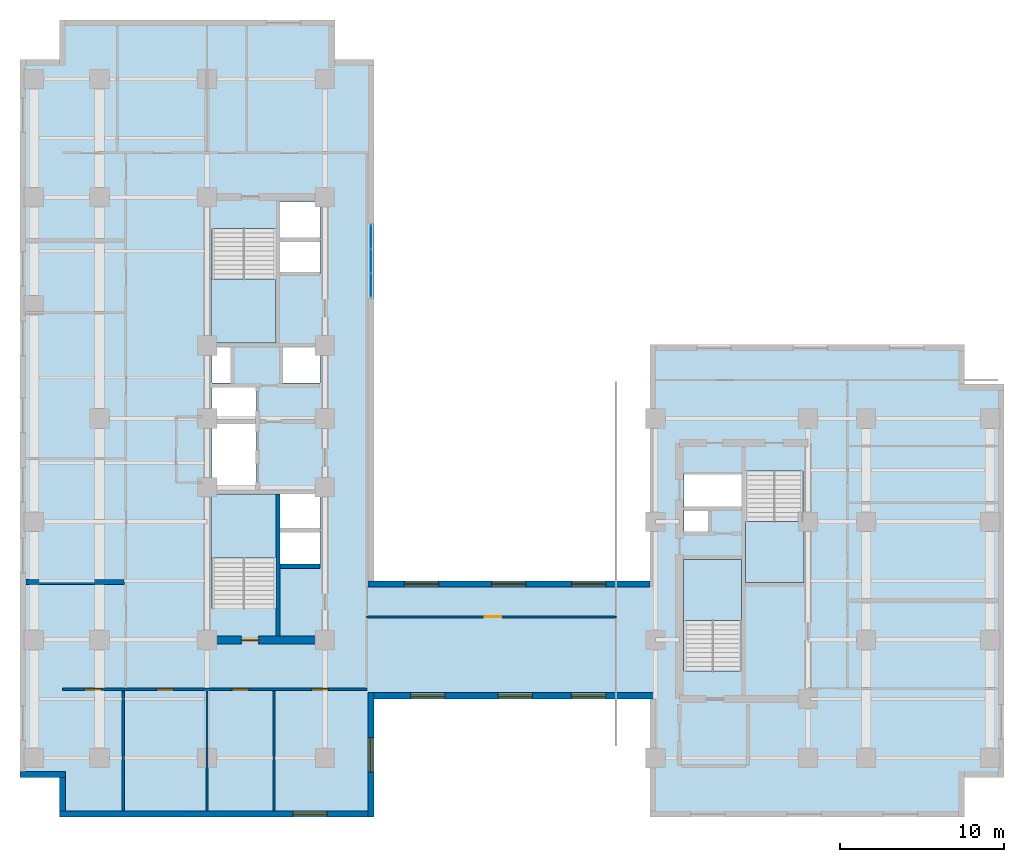
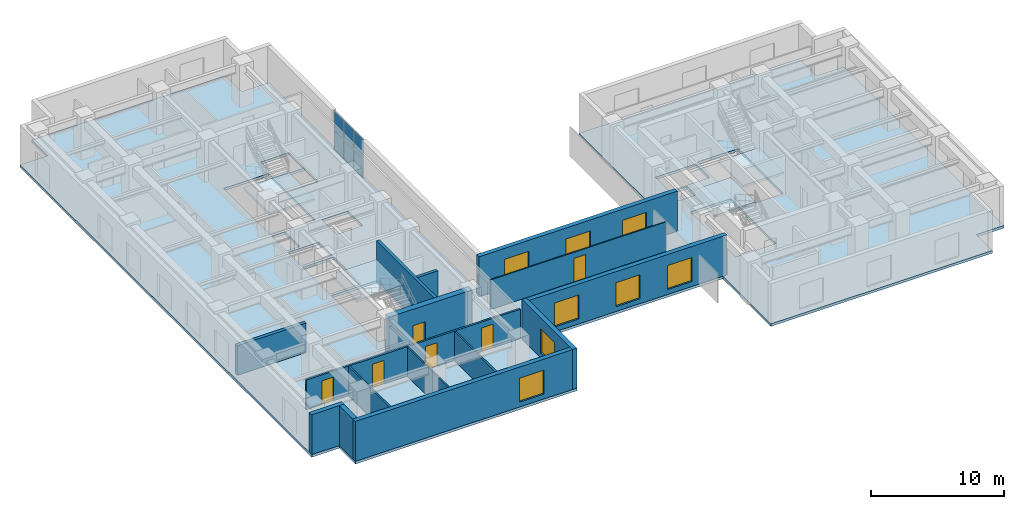
# One storey, part 5 of 11: 15 walls, 8 windows, 6 doors, 6 plates, 5 slabs, 14 openings, 5 elements without a shape of their own.
"""IFC4 building model written with IfcOpenShell, lengths in metres."""

from ifc_helpers import new_model, entity, si_unit, converted_unit, direction, frame, origin_with_axes, origin_2d_with_axis, place, context, subcontext, project, spatial, polyline, rectangle, outline, extrude, material, layer, layer_set, type_object, element, fill, aggregate, save


model = new_model("IFC4")

# Units and contexts
model_context = context("Model", 3, precision=1e-05, world=origin_with_axes(), true_north=direction((0.0, 1.0)))
body_context = subcontext(model_context, "Body", "Model", "MODEL_VIEW")
ifc_project = project(units=[si_unit("LENGTHUNIT", "METRE"), si_unit("AREAUNIT", "SQUARE_METRE"), si_unit("VOLUMEUNIT", "CUBIC_METRE"), converted_unit("PLANEANGLEUNIT", "DEGREE", entity("IfcPlaneAngleMeasure", 0.017453292519943295), si_unit("PLANEANGLEUNIT", "RADIAN"), dimensions=[0, 0, 0, 0, 0, 0, 0]), si_unit("MASSUNIT", "GRAM", prefix="KILO"), si_unit("THERMODYNAMICTEMPERATUREUNIT", "KELVIN")], contexts=[model_context])

# Site, building, storey
site_placement = place(None, origin_with_axes())
site = spatial("IfcSite", under=ifc_project, at=site_placement, CompositionType="ELEMENT")
building_placement = place(site_placement, origin_with_axes())
building = spatial("IfcBuilding", under=site, at=building_placement, Name="Varnlund Millrace Tower", CompositionType="ELEMENT")
storey_placement = place(building_placement, frame((0.0, 0.0, 104.7), z_axis=(0.0, 0.0, 1.0), x_axis=(1.0, 0.0, 0.0)))
storey = spatial("IfcBuildingStorey", under=building, at=storey_placement, Name="L25", CompositionType="ELEMENT", Elevation=104.7)

# Curtain wall, plates
ifc_material_1 = material(Name="Thermally broken architectural bronze curtain wall", Category="aluminium")
curtain_wall_type = type_object("IfcCurtainWallType", Name="Type-CW-Sys5-SkyLobby2Pool", PredefinedType="NOTDEFINED", material=ifc_material_1)
curtain_wall_placement = place(storey_placement, frame((21.41, 36.15, 0.0), z_axis=(0.0, 0.0, 1.0), x_axis=(1.0, 0.0, 0.0)))
curtain_wall = element("IfcCurtainWall", 1, at=curtain_wall_placement, inside=storey, type_object=curtain_wall_type, Name="Type-CW-Sys5-SkyLobby2Pool", PredefinedType="NOTDEFINED")
ifc_material_2 = material(Name="Low-e argon triple-glazed curtain-wall unit", Category="glass")
ifc_layer_1 = layer(ifc_material_2, 0.028, Name="Low-e argon triple-glazed curtain-wall unit")
ifc_layer_set_1 = layer_set([ifc_layer_1], Name="Low-e argon triple-glazed curtain-wall unit")
plate_type = type_object("IfcPlateType", Name="Type-CW-Panel-TripleGlazed-28", PredefinedType="CURTAIN_PANEL", material=ifc_layer_set_1)
plate_1_placement = place(storey_placement, frame((21.41, 35.385, 0.06), z_axis=(0.0, 0.0, 1.0), x_axis=(0.0, -1.0, 0.0)))
plate_1 = element("IfcPlate", 2, at=plate_1_placement, type_object=plate_type, Name="CW-05 panel 1.1", PredefinedType="CURTAIN_PANEL", context=body_context, shape_type="SweptSolid", body=[
    extrude(rectangle(XDim=1.41, YDim=0.028, at=origin_2d_with_axis()), origin_with_axes(), (0.0, 0.0, 1.0), 1.74),
])
plate_2_placement = place(storey_placement, frame((21.41, 35.385, 1.86), z_axis=(0.0, 0.0, 1.0), x_axis=(0.0, -1.0, 0.0)))
plate_2 = element("IfcPlate", 3, at=plate_2_placement, type_object=plate_type, Name="CW-05 panel 1.2", PredefinedType="CURTAIN_PANEL", context=body_context, shape_type="SweptSolid", body=[
    extrude(rectangle(XDim=1.41, YDim=0.028, at=origin_2d_with_axis()), origin_with_axes(), (0.0, 0.0, 1.0), 1.74),
])
plate_3_placement = place(storey_placement, frame((21.41, 33.9, 0.06), z_axis=(0.0, 0.0, 1.0), x_axis=(0.0, -1.0, 0.0)))
plate_3 = element("IfcPlate", 4, at=plate_3_placement, type_object=plate_type, Name="CW-05 panel 2.1", PredefinedType="CURTAIN_PANEL", context=body_context, shape_type="SweptSolid", body=[
    extrude(rectangle(XDim=1.44, YDim=0.028, at=origin_2d_with_axis()), origin_with_axes(), (0.0, 0.0, 1.0), 1.74),
])
plate_4_placement = place(storey_placement, frame((21.41, 33.9, 1.86), z_axis=(0.0, 0.0, 1.0), x_axis=(0.0, -1.0, 0.0)))
plate_4 = element("IfcPlate", 5, at=plate_4_placement, type_object=plate_type, Name="CW-05 panel 2.2", PredefinedType="CURTAIN_PANEL", context=body_context, shape_type="SweptSolid", body=[
    extrude(rectangle(XDim=1.44, YDim=0.028, at=origin_2d_with_axis()), origin_with_axes(), (0.0, 0.0, 1.0), 1.74),
])
plate_5_placement = place(storey_placement, frame((21.41, 32.415, 0.06), z_axis=(0.0, 0.0, 1.0), x_axis=(0.0, -1.0, 0.0)))
plate_5 = element("IfcPlate", 6, at=plate_5_placement, type_object=plate_type, Name="CW-05 panel 3.1", PredefinedType="CURTAIN_PANEL", context=body_context, shape_type="SweptSolid", body=[
    extrude(rectangle(XDim=1.41, YDim=0.028, at=origin_2d_with_axis()), origin_with_axes(), (0.0, 0.0, 1.0), 1.74),
])
plate_6_placement = place(storey_placement, frame((21.41, 32.415, 1.86), z_axis=(0.0, 0.0, 1.0), x_axis=(0.0, -1.0, 0.0)))
plate_6 = element("IfcPlate", 7, at=plate_6_placement, type_object=plate_type, Name="CW-05 panel 3.2", PredefinedType="CURTAIN_PANEL", context=body_context, shape_type="SweptSolid", body=[
    extrude(rectangle(XDim=1.41, YDim=0.028, at=origin_2d_with_axis()), origin_with_axes(), (0.0, 0.0, 1.0), 1.74),
])
aggregate(curtain_wall, [plate_1, plate_2, plate_3, plate_4, plate_5, plate_6])

# Slab
ifc_material_3 = material(Name="Concrete C60/75", Category="concrete")
ifc_layer_2 = layer(ifc_material_3, 0.24, Name="Concrete C60/75")
ifc_layer_set_2 = layer_set([ifc_layer_2], Name="Concrete C60/75")
slab_type_1 = type_object("IfcSlabType", Name="Type-Deck-Plate-Typical-240", PredefinedType="FLOOR", material=ifc_layer_set_2)
slab_1_placement = place(storey_placement, frame((0.0, 0.0, -0.24), z_axis=(0.0, 0.0, 1.0), x_axis=(1.0, 0.0, 0.0)))
element("IfcSlab", 8, at=slab_1_placement, inside=storey, type_object=slab_type_1, Name="Type-Deck-Plate-Typical-240", PredefinedType="FLOOR", context=body_context, shape_type="SweptSolid", body=[
    extrude(outline(polyline([(21.6, 14.4), (21.6, 46.2), (19.2, 46.2), (19.2, 48.6), (2.4, 48.6), (2.4, 46.2), (0.0, 46.2), (0.0, 2.4), (2.4, 2.4), (2.4, 0.0), (21.6, 0.0), (21.6, 7.2), (38.4, 7.2), (38.4, 0.0), (57.6, 0.0), (57.6, 2.4), (60.0, 2.4), (60.0, 26.4), (57.6, 26.4), (57.6, 28.8), (38.4, 28.8), (38.4, 14.4), (21.6, 14.4)]), holes=[polyline([(15.6, 19.7), (15.6, 12.715), (11.7, 12.715), (11.7, 19.7), (15.6, 19.7)]), polyline([(18.3, 15.34), (15.84, 15.34), (15.84, 17.46), (18.3, 17.46), (18.3, 15.34)]), polyline([(18.3, 17.52), (15.84, 17.52), (15.84, 19.7), (18.3, 19.7), (18.3, 17.52)]), polyline([(11.7, 23.98), (14.38, 23.98), (14.38, 19.94), (11.7, 19.94), (11.7, 23.98)]), polyline([(14.38, 24.24), (11.7, 24.24), (11.7, 26.2), (14.38, 26.2), (14.38, 24.24)]), polyline([(12.84, 26.46), (11.7, 26.46), (11.7, 28.65), (12.84, 28.65), (12.84, 26.46)]), polyline([(15.6, 28.9), (11.7, 28.9), (11.7, 35.885), (15.6, 35.885), (15.6, 28.9)]), polyline([(44.0, 8.915), (40.5, 8.915), (40.5, 15.7), (44.0, 15.7), (44.0, 8.915)]), polyline([(47.75, 14.3), (44.25, 14.3), (44.25, 21.085), (47.75, 21.085), (47.75, 14.3)]), polyline([(41.95, 17.42), (40.5, 17.42), (40.5, 18.72), (41.95, 18.72), (41.95, 17.42)]), polyline([(44.0, 18.88), (40.5, 18.88), (40.5, 20.94), (44.0, 20.94), (44.0, 18.88)]), polyline([(18.3, 26.46), (16.04, 26.46), (16.04, 28.65), (18.3, 28.65), (18.3, 26.46)]), polyline([(18.3, 33.12), (15.84, 33.12), (15.84, 35.18), (18.3, 35.18), (18.3, 33.12)]), polyline([(18.3, 35.22), (15.84, 35.22), (15.84, 37.5), (18.3, 37.5), (18.3, 35.22)])]), origin_with_axes(), (0.0, 0.0, 1.0), 0.24),
])

# Stair, slab
ifc_material_4 = material(Name="Concrete C50/60", Category="concrete")
stair_type_1 = type_object("IfcStairType", Name="Type-Stair-Dogleg-185-390", PredefinedType="HALF_TURN_STAIR", material=ifc_material_4)
stair_1_placement = place(storey_placement, origin_with_axes())
stair_1 = element("IfcStair", 9, at=stair_1_placement, inside=storey, type_object=stair_type_1, Name="Type-Stair-Dogleg-185-390", PredefinedType="HALF_TURN_STAIR")
ifc_layer_3 = layer(ifc_material_4, 0.2, Name="Concrete C50/60")
ifc_layer_set_3 = layer_set([ifc_layer_3], Name="Concrete C50/60")
slab_type_2 = type_object("IfcSlabType", Name="Type-StairLanding-200", PredefinedType="LANDING", material=ifc_layer_set_3)
slab_2_placement = place(storey_placement, frame((0.0, 0.0, 1.75), z_axis=(0.0, 0.0, 1.0), x_axis=(1.0, 0.0, 0.0)))
slab_2 = element("IfcSlab", 10, at=slab_2_placement, type_object=slab_type_2, Name="ST-A1 landing 1", PredefinedType="LANDING", context=body_context, shape_type="SweptSolid", body=[
    extrude(outline(polyline([(15.6, 15.78), (15.6, 19.7), (11.65, 19.7), (11.65, 15.78), (15.6, 15.78)])), origin_with_axes(), (0.0, 0.0, 1.0), 0.2),
])
aggregate(stair_1, [slab_2])

stair_2_placement = place(storey_placement, origin_with_axes())
stair_2 = element("IfcStair", 11, at=stair_2_placement, inside=storey, type_object=stair_type_1, Name="Type-Stair-Dogleg-185-390", PredefinedType="HALF_TURN_STAIR")
slab_3_placement = place(storey_placement, frame((0.0, 0.0, 1.75), z_axis=(0.0, 0.0, 1.0), x_axis=(1.0, 0.0, 0.0)))
slab_3 = element("IfcSlab", 12, at=slab_3_placement, type_object=slab_type_2, Name="ST-A2 landing 1", PredefinedType="LANDING", context=body_context, shape_type="SweptSolid", body=[
    extrude(outline(polyline([(11.65, 32.82), (11.65, 28.9), (15.6, 28.9), (15.6, 32.82), (11.65, 32.82)])), origin_with_axes(), (0.0, 0.0, 1.0), 0.2),
])
aggregate(stair_2, [slab_3])

stair_type_2 = type_object("IfcStairType", Name="Type-Stair-Dogleg-165-390", PredefinedType="HALF_TURN_STAIR", material=ifc_material_4)
stair_3_placement = place(storey_placement, origin_with_axes())
stair_3 = element("IfcStair", 13, at=stair_3_placement, inside=storey, type_object=stair_type_2, Name="Type-Stair-Dogleg-165-390", PredefinedType="HALF_TURN_STAIR")
slab_4_placement = place(storey_placement, frame((0.0, 0.0, 1.75), z_axis=(0.0, 0.0, 1.0), x_axis=(1.0, 0.0, 0.0)))
slab_4 = element("IfcSlab", 14, at=slab_4_placement, type_object=slab_type_2, Name="ST-B1 landing 1", PredefinedType="LANDING", context=body_context, shape_type="SweptSolid", body=[
    extrude(outline(polyline([(44.0, 11.98), (44.0, 15.7), (40.45, 15.7), (40.45, 11.98), (44.0, 11.98)])), origin_with_axes(), (0.0, 0.0, 1.0), 0.2),
])
aggregate(stair_3, [slab_4])

stair_4_placement = place(storey_placement, origin_with_axes())
stair_4 = element("IfcStair", 15, at=stair_4_placement, inside=storey, type_object=stair_type_2, Name="Type-Stair-Dogleg-165-390", PredefinedType="HALF_TURN_STAIR")
slab_5_placement = place(storey_placement, frame((0.0, 0.0, 1.75), z_axis=(0.0, 0.0, 1.0), x_axis=(1.0, 0.0, 0.0)))
slab_5 = element("IfcSlab", 16, at=slab_5_placement, type_object=slab_type_2, Name="ST-B2 landing 1", PredefinedType="LANDING", context=body_context, shape_type="SweptSolid", body=[
    extrude(outline(polyline([(44.25, 18.02), (44.25, 14.3), (47.8, 14.3), (47.8, 18.02), (44.25, 18.02)])), origin_with_axes(), (0.0, 0.0, 1.0), 0.2),
])
aggregate(stair_4, [slab_5])

# Wall, opening, door
ifc_material_5 = material(Name="Concrete C70/85", Category="concrete")
ifc_layer_4 = layer(ifc_material_5, 0.5, Name="Concrete C70/85")
ifc_layer_set_4 = layer_set([ifc_layer_4], Name="Concrete C70/85")
wall_type_1 = type_object("IfcWallType", Name="Type-CoreWall-Shear-500-C70", PredefinedType="SHEAR", material=ifc_layer_set_4)
wall_1_placement = place(storey_placement, frame((11.4, 10.8, 0.0), z_axis=(0.0, 0.0, 1.0), x_axis=(1.0, 0.0, 0.0)))
wall_1 = element("IfcWall", 17, at=wall_1_placement, inside=storey, type_object=wall_type_1, Name="Type-CoreWall-Shear-500-C70", PredefinedType="SHEAR", context=body_context, shape_type="SweptSolid", body=[
    extrude(outline(polyline([(0.0, -0.25), (7.2, -0.25), (7.2, 0.25), (0.0, 0.25), (0.0, -0.25)])), origin_with_axes(), (0.0, 0.0, 1.0), 3.66),
])
opening_1_placement = place(wall_1_placement, frame((2.625, 0.0, 0.0), z_axis=(0.0, 0.0, 1.0), x_axis=(1.0, 0.0, 0.0)))
opening_1 = element("IfcOpeningElement", 18, at=opening_1_placement, cuts=wall_1, Name="Opening L25:DR-STA1", PredefinedType="OPENING", context=body_context, shape_type="SweptSolid", body=[
    extrude(rectangle(XDim=1.05, YDim=0.52, at=origin_2d_with_axis()), origin_with_axes(), (0.0, 0.0, 1.0), 2.15),
])
ifc_material_6 = material(Name="Fire-rated hollow steel door", Category="steel")
door_type_1 = type_object("IfcDoorType", Name="Type-FireDoor-Stair-1050X2150", OperationType="NOTDEFINED", PredefinedType="DOOR", material=ifc_material_6)
door_1_placement = place(wall_1_placement, frame((2.625, 0.0, 0.0), z_axis=(0.0, 0.0, 1.0), x_axis=(1.0, 0.0, 0.0)))
door_1 = element("IfcDoor", 19, at=door_1_placement, inside=storey, type_object=door_type_1, Name="Type-FireDoor-Stair-1050X2150", OperationType="SINGLE_SWING_LEFT", OverallHeight=2.15, OverallWidth=1.05, PredefinedType="DOOR", context=body_context, shape_type="SweptSolid", body=[
    extrude(rectangle(XDim=1.05, YDim=0.09, at=origin_2d_with_axis()), origin_with_axes(), (0.0, 0.0, 1.0), 2.15),
])
fill(opening_1, door_1)

# Wall, openings, windows
ifc_material_7 = material(Name="Precast concrete C50/60", Category="concrete")
ifc_layer_5 = layer(ifc_material_7, 0.38, Name="Precast concrete C50/60")
ifc_layer_set_5 = layer_set([ifc_layer_5], Name="Precast concrete C50/60")
wall_type_2 = type_object("IfcWallType", Name="Type-ExtWall-Precast-Tube-380", PredefinedType="SOLIDWALL", material=ifc_layer_set_5)
wall_2_placement = place(storey_placement, frame((38.78, 7.39, 0.0), z_axis=(0.0, 0.0, 1.0), x_axis=(-1.0, 0.0, 0.0)))
wall_2 = element("IfcWall", 20, at=wall_2_placement, inside=storey, type_object=wall_type_2, Name="Type-ExtWall-Precast-Tube-380", PredefinedType="SOLIDWALL", context=body_context, shape_type="SweptSolid", body=[
    extrude(outline(polyline([(0.0, -0.19), (17.18, -0.19), (17.18, 0.19), (0.0, 0.19), (0.0, -0.19)])), origin_with_axes(), (0.0, 0.0, 1.0), 3.66),
])
opening_2_placement = place(wall_2_placement, frame((4.113, 0.0, 0.45), z_axis=(0.0, 0.0, 1.0), x_axis=(1.0, 0.0, 0.0)))
opening_2 = element("IfcOpeningElement", 21, at=opening_2_placement, cuts=wall_2, Name="Opening L25:WN-08", PredefinedType="OPENING", context=body_context, shape_type="SweptSolid", body=[
    extrude(rectangle(XDim=2.1, YDim=0.4, at=origin_2d_with_axis()), origin_with_axes(), (0.0, 0.0, 1.0), 2.2),
])
opening_3_placement = place(wall_2_placement, frame((8.59, 0.0, 0.45), z_axis=(0.0, 0.0, 1.0), x_axis=(1.0, 0.0, 0.0)))
opening_3 = element("IfcOpeningElement", 22, at=opening_3_placement, cuts=wall_2, Name="Opening L25:WN-09", PredefinedType="OPENING", context=body_context, shape_type="SweptSolid", body=[
    extrude(rectangle(XDim=2.1, YDim=0.4, at=origin_2d_with_axis()), origin_with_axes(), (0.0, 0.0, 1.0), 2.2),
])
opening_4_placement = place(wall_2_placement, frame((13.917, 0.0, 0.45), z_axis=(0.0, 0.0, 1.0), x_axis=(1.0, 0.0, 0.0)))
opening_4 = element("IfcOpeningElement", 23, at=opening_4_placement, cuts=wall_2, Name="Opening L25:WN-10", PredefinedType="OPENING", context=body_context, shape_type="SweptSolid", body=[
    extrude(rectangle(XDim=2.1, YDim=0.4, at=origin_2d_with_axis()), origin_with_axes(), (0.0, 0.0, 1.0), 2.2),
])
ifc_material_8 = material(Name="Argon low-e triple glazing in thermally broken bronze frame", Category="glass")
window_type = type_object("IfcWindowType", Name="Type-Window-Punched-2100X2200", PartitioningType="SINGLE_PANEL", PredefinedType="WINDOW", material=ifc_material_8)
window_1_placement = place(wall_2_placement, frame((4.113, 0.0, 0.45), z_axis=(0.0, 0.0, 1.0), x_axis=(1.0, 0.0, 0.0)))
window_1 = element("IfcWindow", 24, at=window_1_placement, inside=storey, type_object=window_type, Name="Type-Window-Punched-2100X2200", OverallHeight=2.2, OverallWidth=2.1, PredefinedType="WINDOW", context=body_context, shape_type="SweptSolid", body=[
    extrude(rectangle(XDim=2.1, YDim=0.09, at=origin_2d_with_axis()), origin_with_axes(), (0.0, 0.0, 1.0), 2.2),
])
fill(opening_2, window_1)
window_2_placement = place(wall_2_placement, frame((8.59, 0.0, 0.45), z_axis=(0.0, 0.0, 1.0), x_axis=(1.0, 0.0, 0.0)))
window_2 = element("IfcWindow", 25, at=window_2_placement, inside=storey, type_object=window_type, Name="Type-Window-Punched-2100X2200", OverallHeight=2.2, OverallWidth=2.1, PredefinedType="WINDOW", context=body_context, shape_type="SweptSolid", body=[
    extrude(rectangle(XDim=2.1, YDim=0.09, at=origin_2d_with_axis()), origin_with_axes(), (0.0, 0.0, 1.0), 2.2),
])
fill(opening_3, window_2)
window_3_placement = place(wall_2_placement, frame((13.917, 0.0, 0.45), z_axis=(0.0, 0.0, 1.0), x_axis=(1.0, 0.0, 0.0)))
window_3 = element("IfcWindow", 26, at=window_3_placement, inside=storey, type_object=window_type, Name="Type-Window-Punched-2100X2200", OverallHeight=2.2, OverallWidth=2.1, PredefinedType="WINDOW", context=body_context, shape_type="SweptSolid", body=[
    extrude(rectangle(XDim=2.1, YDim=0.09, at=origin_2d_with_axis()), origin_with_axes(), (0.0, 0.0, 1.0), 2.2),
])
fill(opening_4, window_3)

# Wall, opening, window
wall_3_placement = place(storey_placement, frame((21.41, 7.58, 0.0), z_axis=(0.0, 0.0, 1.0), x_axis=(0.0, -1.0, 0.0)))
wall_3 = element("IfcWall", 27, at=wall_3_placement, inside=storey, type_object=wall_type_2, Name="Type-ExtWall-Precast-Tube-380", PredefinedType="SOLIDWALL", context=body_context, shape_type="SweptSolid", body=[
    extrude(outline(polyline([(0.0, -0.19), (7.58, -0.19), (7.58, 0.19), (0.0, 0.19), (0.0, -0.19)])), origin_with_axes(), (0.0, 0.0, 1.0), 3.66),
])
opening_5_placement = place(wall_3_placement, frame((3.79, 0.0, 0.45), z_axis=(0.0, 0.0, 1.0), x_axis=(1.0, 0.0, 0.0)))
opening_5 = element("IfcOpeningElement", 28, at=opening_5_placement, cuts=wall_3, Name="Opening L25:WN-11", PredefinedType="OPENING", context=body_context, shape_type="SweptSolid", body=[
    extrude(rectangle(XDim=2.1, YDim=0.4, at=origin_2d_with_axis()), origin_with_axes(), (0.0, 0.0, 1.0), 2.2),
])
window_4_placement = place(wall_3_placement, frame((3.79, 0.0, 0.45), z_axis=(0.0, 0.0, 1.0), x_axis=(1.0, 0.0, 0.0)))
window_4 = element("IfcWindow", 29, at=window_4_placement, inside=storey, type_object=window_type, Name="Type-Window-Punched-2100X2200", OverallHeight=2.2, OverallWidth=2.1, PredefinedType="WINDOW", context=body_context, shape_type="SweptSolid", body=[
    extrude(rectangle(XDim=2.1, YDim=0.09, at=origin_2d_with_axis()), origin_with_axes(), (0.0, 0.0, 1.0), 2.2),
])
fill(opening_5, window_4)

wall_4_placement = place(storey_placement, frame((21.22, 0.19, 0.0), z_axis=(0.0, 0.0, 1.0), x_axis=(-1.0, 0.0, 0.0)))
wall_4 = element("IfcWall", 30, at=wall_4_placement, inside=storey, type_object=wall_type_2, Name="Type-ExtWall-Precast-Tube-380", PredefinedType="SOLIDWALL", context=body_context, shape_type="SweptSolid", body=[
    extrude(outline(polyline([(0.0, -0.19), (18.82, -0.19), (18.82, 0.19), (0.0, 0.19), (0.0, -0.19)])), origin_with_axes(), (0.0, 0.0, 1.0), 3.66),
])
opening_6_placement = place(wall_4_placement, frame((3.537, 0.0, 0.45), z_axis=(0.0, 0.0, 1.0), x_axis=(1.0, 0.0, 0.0)))
opening_6 = element("IfcOpeningElement", 31, at=opening_6_placement, cuts=wall_4, Name="Opening L25:WN-12", PredefinedType="OPENING", context=body_context, shape_type="SweptSolid", body=[
    extrude(rectangle(XDim=2.1, YDim=0.4, at=origin_2d_with_axis()), origin_with_axes(), (0.0, 0.0, 1.0), 2.2),
])
window_5_placement = place(wall_4_placement, frame((3.537, 0.0, 0.45), z_axis=(0.0, 0.0, 1.0), x_axis=(1.0, 0.0, 0.0)))
window_5 = element("IfcWindow", 32, at=window_5_placement, inside=storey, type_object=window_type, Name="Type-Window-Punched-2100X2200", OverallHeight=2.2, OverallWidth=2.1, PredefinedType="WINDOW", context=body_context, shape_type="SweptSolid", body=[
    extrude(rectangle(XDim=2.1, YDim=0.09, at=origin_2d_with_axis()), origin_with_axes(), (0.0, 0.0, 1.0), 2.2),
])
fill(opening_6, window_5)

# Walls
wall_5_placement = place(storey_placement, frame((2.59, 0.38, 0.0), z_axis=(0.0, 0.0, 1.0), x_axis=(0.0, 1.0, 0.0)))
element("IfcWall", 33, at=wall_5_placement, inside=storey, type_object=wall_type_2, Name="Type-ExtWall-Precast-Tube-380", PredefinedType="SOLIDWALL", context=body_context, shape_type="SweptSolid", body=[
    extrude(outline(polyline([(0.0, -0.19), (2.02, -0.19), (2.02, 0.19), (0.0, 0.19), (0.0, -0.19)])), origin_with_axes(), (0.0, 0.0, 1.0), 3.66),
])
wall_6_placement = place(storey_placement, frame((2.78, 2.59, 0.0), z_axis=(0.0, 0.0, 1.0), x_axis=(-1.0, 0.0, 0.0)))
element("IfcWall", 34, at=wall_6_placement, inside=storey, type_object=wall_type_2, Name="Type-ExtWall-Precast-Tube-380", PredefinedType="SOLIDWALL", context=body_context, shape_type="SweptSolid", body=[
    extrude(outline(polyline([(0.0, -0.19), (2.78, -0.19), (2.78, 0.19), (0.0, 0.19), (0.0, -0.19)])), origin_with_axes(), (0.0, 0.0, 1.0), 3.66),
])

# Wall, openings, windows
wall_7_placement = place(storey_placement, frame((21.22, 14.21, 0.0), z_axis=(0.0, 0.0, 1.0), x_axis=(1.0, 0.0, 0.0)))
wall_7 = element("IfcWall", 35, at=wall_7_placement, inside=storey, type_object=wall_type_2, Name="Type-ExtWall-Precast-Tube-380", PredefinedType="SOLIDWALL", context=body_context, shape_type="SweptSolid", body=[
    extrude(outline(polyline([(0.0, -0.19), (17.18, -0.19), (17.18, 0.19), (0.0, 0.19), (0.0, -0.19)])), origin_with_axes(), (0.0, 0.0, 1.0), 3.66),
])
opening_7_placement = place(wall_7_placement, frame((3.263, 0.0, 0.45), z_axis=(0.0, 0.0, 1.0), x_axis=(1.0, 0.0, 0.0)))
opening_7 = element("IfcOpeningElement", 36, at=opening_7_placement, cuts=wall_7, Name="Opening L25:WN-21", PredefinedType="OPENING", context=body_context, shape_type="SweptSolid", body=[
    extrude(rectangle(XDim=2.1, YDim=0.4, at=origin_2d_with_axis()), origin_with_axes(), (0.0, 0.0, 1.0), 2.2),
])
opening_8_placement = place(wall_7_placement, frame((8.59, 0.0, 0.45), z_axis=(0.0, 0.0, 1.0), x_axis=(1.0, 0.0, 0.0)))
opening_8 = element("IfcOpeningElement", 37, at=opening_8_placement, cuts=wall_7, Name="Opening L25:WN-22", PredefinedType="OPENING", context=body_context, shape_type="SweptSolid", body=[
    extrude(rectangle(XDim=2.1, YDim=0.4, at=origin_2d_with_axis()), origin_with_axes(), (0.0, 0.0, 1.0), 2.2),
])
opening_9_placement = place(wall_7_placement, frame((13.467, 0.0, 0.45), z_axis=(0.0, 0.0, 1.0), x_axis=(1.0, 0.0, 0.0)))
opening_9 = element("IfcOpeningElement", 38, at=opening_9_placement, cuts=wall_7, Name="Opening L25:WN-23", PredefinedType="OPENING", context=body_context, shape_type="SweptSolid", body=[
    extrude(rectangle(XDim=2.1, YDim=0.4, at=origin_2d_with_axis()), origin_with_axes(), (0.0, 0.0, 1.0), 2.2),
])
window_6_placement = place(wall_7_placement, frame((3.263, 0.0, 0.45), z_axis=(0.0, 0.0, 1.0), x_axis=(1.0, 0.0, 0.0)))
window_6 = element("IfcWindow", 39, at=window_6_placement, inside=storey, type_object=window_type, Name="Type-Window-Punched-2100X2200", OverallHeight=2.2, OverallWidth=2.1, PredefinedType="WINDOW", context=body_context, shape_type="SweptSolid", body=[
    extrude(rectangle(XDim=2.1, YDim=0.09, at=origin_2d_with_axis()), origin_with_axes(), (0.0, 0.0, 1.0), 2.2),
])
fill(opening_7, window_6)
window_7_placement = place(wall_7_placement, frame((8.59, 0.0, 0.45), z_axis=(0.0, 0.0, 1.0), x_axis=(1.0, 0.0, 0.0)))
window_7 = element("IfcWindow", 40, at=window_7_placement, inside=storey, type_object=window_type, Name="Type-Window-Punched-2100X2200", OverallHeight=2.2, OverallWidth=2.1, PredefinedType="WINDOW", context=body_context, shape_type="SweptSolid", body=[
    extrude(rectangle(XDim=2.1, YDim=0.09, at=origin_2d_with_axis()), origin_with_axes(), (0.0, 0.0, 1.0), 2.2),
])
fill(opening_8, window_7)
window_8_placement = place(wall_7_placement, frame((13.467, 0.0, 0.45), z_axis=(0.0, 0.0, 1.0), x_axis=(1.0, 0.0, 0.0)))
window_8 = element("IfcWindow", 41, at=window_8_placement, inside=storey, type_object=window_type, Name="Type-Window-Punched-2100X2200", OverallHeight=2.2, OverallWidth=2.1, PredefinedType="WINDOW", context=body_context, shape_type="SweptSolid", body=[
    extrude(rectangle(XDim=2.1, YDim=0.09, at=origin_2d_with_axis()), origin_with_axes(), (0.0, 0.0, 1.0), 2.2),
])
fill(opening_9, window_8)

# Wall
ifc_material_9 = material(Name="Double-stud STC-60 conference acoustic partition", Category="gypsum")
ifc_layer_6 = layer(ifc_material_9, 0.28, Name="Double-stud STC-60 conference acoustic partition")
ifc_layer_set_6 = layer_set([ifc_layer_6], Name="Double-stud STC-60 conference acoustic partition")
wall_type_3 = type_object("IfcWallType", Name="Type-Partition-Acoustic-280", PredefinedType="PARTITIONING", material=ifc_layer_set_6)
wall_8_placement = place(storey_placement, frame((0.375, 14.333, 0.0), z_axis=(0.0, 0.0, 1.0), x_axis=(1.0, 0.0, 0.0)))
element("IfcWall", 42, at=wall_8_placement, inside=storey, type_object=wall_type_3, Name="Type-Partition-Acoustic-280", PredefinedType="PARTITIONING", context=body_context, shape_type="SweptSolid", body=[
    extrude(outline(polyline([(0.0, -0.14), (5.955, -0.14), (5.955, 0.14), (0.0, 0.14), (0.0, -0.14)])), origin_with_axes(), (0.0, 0.0, 1.0), 2.7),
])

# Wall, openings, doors
ifc_material_10 = material(Name="Fire-rated gypsum board on cold-formed steel framing", Category="steel")
ifc_layer_7 = layer(ifc_material_10, 0.16, Name="Fire-rated gypsum board on cold-formed steel framing")
ifc_layer_set_7 = layer_set([ifc_layer_7], Name="Fire-rated gypsum board on cold-formed steel framing")
wall_type_4 = type_object("IfcWallType", Name="Type-Partition-Corridor-160", PredefinedType="PARTITIONING", material=ifc_layer_set_7)
wall_9_placement = place(storey_placement, frame((2.6, 7.8, 0.0), z_axis=(0.0, 0.0, 1.0), x_axis=(1.0, 0.0, 0.0)))
wall_9 = element("IfcWall", 43, at=wall_9_placement, inside=storey, type_object=wall_type_4, Name="Type-Partition-Corridor-160", PredefinedType="PARTITIONING", context=body_context, shape_type="SweptSolid", body=[
    extrude(outline(polyline([(0.0, -0.08), (18.55, -0.08), (18.55, 0.08), (0.0, 0.08), (0.0, -0.08)])), origin_with_axes(), (0.0, 0.0, 1.0), 2.7),
])
opening_10_placement = place(wall_9_placement, frame((1.848, 0.0, 0.0), z_axis=(0.0, 0.0, 1.0), x_axis=(1.0, 0.0, 0.0)))
opening_10 = element("IfcOpeningElement", 44, at=opening_10_placement, cuts=wall_9, Name="Opening L25:DR-WAS-01", PredefinedType="OPENING", context=body_context, shape_type="SweptSolid", body=[
    extrude(rectangle(XDim=1.0, YDim=0.18, at=origin_2d_with_axis()), origin_with_axes(), (0.0, 0.0, 1.0), 2.15),
])
opening_11_placement = place(wall_9_placement, frame((6.253, 0.0, 0.0), z_axis=(0.0, 0.0, 1.0), x_axis=(1.0, 0.0, 0.0)))
opening_11 = element("IfcOpeningElement", 45, at=opening_11_placement, cuts=wall_9, Name="Opening L25:DR-WAS-02", PredefinedType="OPENING", context=body_context, shape_type="SweptSolid", body=[
    extrude(rectangle(XDim=1.0, YDim=0.18, at=origin_2d_with_axis()), origin_with_axes(), (0.0, 0.0, 1.0), 2.15),
])
opening_12_placement = place(wall_9_placement, frame((10.8445, 0.0, 0.0), z_axis=(0.0, 0.0, 1.0), x_axis=(1.0, 0.0, 0.0)))
opening_12 = element("IfcOpeningElement", 46, at=opening_12_placement, cuts=wall_9, Name="Opening L25:DR-WAS-03", PredefinedType="OPENING", context=body_context, shape_type="SweptSolid", body=[
    extrude(rectangle(XDim=1.0, YDim=0.18, at=origin_2d_with_axis()), origin_with_axes(), (0.0, 0.0, 1.0), 2.15),
])
opening_13_placement = place(wall_9_placement, frame((15.6945, 0.0, 0.0), z_axis=(0.0, 0.0, 1.0), x_axis=(1.0, 0.0, 0.0)))
opening_13 = element("IfcOpeningElement", 47, at=opening_13_placement, cuts=wall_9, Name="Opening L25:DR-WAS-04", PredefinedType="OPENING", context=body_context, shape_type="SweptSolid", body=[
    extrude(rectangle(XDim=1.0, YDim=0.18, at=origin_2d_with_axis()), origin_with_axes(), (0.0, 0.0, 1.0), 2.15),
])
ifc_material_11 = material(Name="Solid-core white oak and bronze frame door")
door_type_2 = type_object("IfcDoorType", Name="Type-IntDoor-Office-1000X2150", OperationType="NOTDEFINED", PredefinedType="DOOR", material=ifc_material_11)
door_2_placement = place(wall_9_placement, frame((1.848, 0.0, 0.0), z_axis=(0.0, 0.0, 1.0), x_axis=(1.0, 0.0, 0.0)))
door_2 = element("IfcDoor", 48, at=door_2_placement, inside=storey, type_object=door_type_2, Name="Type-IntDoor-Office-1000X2150", OperationType="SINGLE_SWING_LEFT", OverallHeight=2.15, OverallWidth=1.0, PredefinedType="DOOR", context=body_context, shape_type="SweptSolid", body=[
    extrude(rectangle(XDim=1.0, YDim=0.09, at=origin_2d_with_axis()), origin_with_axes(), (0.0, 0.0, 1.0), 2.15),
])
fill(opening_10, door_2)
door_3_placement = place(wall_9_placement, frame((6.253, 0.0, 0.0), z_axis=(0.0, 0.0, 1.0), x_axis=(1.0, 0.0, 0.0)))
door_3 = element("IfcDoor", 49, at=door_3_placement, inside=storey, type_object=door_type_2, Name="Type-IntDoor-Office-1000X2150", OperationType="SINGLE_SWING_RIGHT", OverallHeight=2.15, OverallWidth=1.0, PredefinedType="DOOR", context=body_context, shape_type="SweptSolid", body=[
    extrude(rectangle(XDim=1.0, YDim=0.09, at=origin_2d_with_axis()), origin_with_axes(), (0.0, 0.0, 1.0), 2.15),
])
fill(opening_11, door_3)
door_4_placement = place(wall_9_placement, frame((10.8445, 0.0, 0.0), z_axis=(0.0, 0.0, 1.0), x_axis=(1.0, 0.0, 0.0)))
door_4 = element("IfcDoor", 50, at=door_4_placement, inside=storey, type_object=door_type_2, Name="Type-IntDoor-Office-1000X2150", OperationType="SINGLE_SWING_LEFT", OverallHeight=2.15, OverallWidth=1.0, PredefinedType="DOOR", context=body_context, shape_type="SweptSolid", body=[
    extrude(rectangle(XDim=1.0, YDim=0.09, at=origin_2d_with_axis()), origin_with_axes(), (0.0, 0.0, 1.0), 2.15),
])
fill(opening_12, door_4)
door_5_placement = place(wall_9_placement, frame((15.6945, 0.0, 0.0), z_axis=(0.0, 0.0, 1.0), x_axis=(1.0, 0.0, 0.0)))
door_5 = element("IfcDoor", 51, at=door_5_placement, inside=storey, type_object=door_type_2, Name="Type-IntDoor-Office-1000X2150", OperationType="SINGLE_SWING_RIGHT", OverallHeight=2.15, OverallWidth=1.0, PredefinedType="DOOR", context=body_context, shape_type="SweptSolid", body=[
    extrude(rectangle(XDim=1.0, YDim=0.09, at=origin_2d_with_axis()), origin_with_axes(), (0.0, 0.0, 1.0), 2.15),
])
fill(opening_13, door_5)

# Walls
ifc_material_12 = material(Name="Acoustic STC-50 gypsum board partition", Category="gypsum")
ifc_layer_8 = layer(ifc_material_12, 0.15, Name="Acoustic STC-50 gypsum board partition")
ifc_layer_set_8 = layer_set([ifc_layer_8], Name="Acoustic STC-50 gypsum board partition")
wall_type_5 = type_object("IfcWallType", Name="Type-Partition-Demising-150", PredefinedType="PARTITIONING", material=ifc_layer_set_8)
for number, where, z_axis, x_axis, name in (
    (52, (6.306, 0.36, 0.0), (0.0, 0.0, 1.0), (0.0, 1.0, 0.0), "Type-Partition-Demising-150"),
    (53, (15.489, 0.36, 0.0), (0.0, 0.0, 1.0), (0.0, 1.0, 0.0), "Type-Partition-Demising-150"),
):
    element("IfcWall", number, at=place(storey_placement, frame(where, z_axis=z_axis, x_axis=x_axis)), inside=storey, type_object=wall_type_5, Name=name, PredefinedType="PARTITIONING", context=body_context, shape_type="SweptSolid", body=[
        extrude(outline(polyline([(0.0, -0.075), (7.34, -0.075), (7.34, 0.075), (0.0, 0.075), (0.0, -0.075)])), origin_with_axes(), (0.0, 0.0, 1.0), 2.7),
    ])

# Wall, opening, door
ifc_material_13 = material(Name="Architectural bronze and acoustic glass office front", Category="glass")
ifc_layer_9 = layer(ifc_material_13, 0.1, Name="Architectural bronze and acoustic glass office front")
ifc_layer_set_9 = layer_set([ifc_layer_9], Name="Architectural bronze and acoustic glass office front")
wall_type_6 = type_object("IfcWallType", Name="Type-Partition-Glazed-100", PredefinedType="PARTITIONING", material=ifc_layer_set_9)
wall_10_placement = place(storey_placement, frame((21.15, 12.2, 0.0), z_axis=(0.0, 0.0, 1.0), x_axis=(1.0, 0.0, 0.0)))
wall_10 = element("IfcWall", 54, at=wall_10_placement, inside=storey, type_object=wall_type_6, Name="Type-Partition-Glazed-100", PredefinedType="PARTITIONING", context=body_context, shape_type="SweptSolid", body=[
    extrude(outline(polyline([(0.0, -0.05), (15.2, -0.05), (15.2, 0.05), (0.0, 0.05), (0.0, -0.05)])), origin_with_axes(), (0.0, 0.0, 1.0), 2.7),
])
opening_14_placement = place(wall_10_placement, frame((7.7, 0.0, 0.0), z_axis=(0.0, 0.0, 1.0), x_axis=(1.0, 0.0, 0.0)))
opening_14 = element("IfcOpeningElement", 55, at=opening_14_placement, cuts=wall_10, Name="Opening L25:DR-SB-LNG", PredefinedType="OPENING", context=body_context, shape_type="SweptSolid", body=[
    extrude(rectangle(XDim=1.0, YDim=0.12, at=origin_2d_with_axis()), origin_with_axes(), (0.0, 0.0, 1.0), 2.15),
])
door_6_placement = place(wall_10_placement, frame((7.7, 0.0, 0.0), z_axis=(0.0, 0.0, 1.0), x_axis=(1.0, 0.0, 0.0)))
door_6 = element("IfcDoor", 56, at=door_6_placement, inside=storey, type_object=door_type_2, Name="Type-IntDoor-Office-1000X2150", OperationType="SINGLE_SWING_LEFT", OverallHeight=2.15, OverallWidth=1.0, PredefinedType="DOOR", context=body_context, shape_type="SweptSolid", body=[
    extrude(rectangle(XDim=1.0, YDim=0.06, at=origin_2d_with_axis()), origin_with_axes(), (0.0, 0.0, 1.0), 2.15),
])
fill(opening_14, door_6)

# Walls
ifc_material_14 = material(Name="Gypsum board tenant partition", Category="gypsum")
ifc_layer_10 = layer(ifc_material_14, 0.125, Name="Gypsum board tenant partition")
ifc_layer_set_10 = layer_set([ifc_layer_10], Name="Gypsum board tenant partition")
wall_type_7 = type_object("IfcWallType", Name="Type-Partition-Tenant-125", PredefinedType="PARTITIONING", material=ifc_layer_set_10)
wall_11_placement = place(storey_placement, frame((11.4, 0.36, 0.0), z_axis=(0.0, 0.0, 1.0), x_axis=(0.0, 1.0, 0.0)))
element("IfcWall", 57, at=wall_11_placement, inside=storey, type_object=wall_type_7, Name="Type-Partition-Tenant-125", PredefinedType="PARTITIONING", context=body_context, shape_type="SweptSolid", body=[
    extrude(outline(polyline([(0.0, -0.0625), (7.34, -0.0625), (7.34, 0.0625), (0.0, 0.0625), (0.0, -0.0625)])), origin_with_axes(), (0.0, 0.0, 1.0), 2.7),
])
ifc_layer_11 = layer(ifc_material_3, 0.25, Name="Concrete C60/75")
ifc_layer_set_11 = layer_set([ifc_layer_11], Name="Concrete C60/75")
wall_type_8 = type_object("IfcWallType", Name="Type-ShaftWall-Fire-250", PredefinedType="SOLIDWALL", material=ifc_layer_set_11)
wall_12_placement = place(storey_placement, frame((15.84, 15.29, 0.0), z_axis=(0.0, 0.0, 1.0), x_axis=(1.0, 0.0, 0.0)))
element("IfcWall", 58, at=wall_12_placement, inside=storey, type_object=wall_type_8, Name="Type-ShaftWall-Fire-250", PredefinedType="SOLIDWALL", context=body_context, shape_type="SweptSolid", body=[
    extrude(outline(polyline([(0.0, -0.125), (2.46, -0.125), (2.46, 0.125), (0.0, 0.125), (0.0, -0.125)])), origin_with_axes(), (0.0, 0.0, 1.0), 2.7),
])
wall_type_9 = type_object("IfcWallType", Name="Type-StairWall-Shear-250", PredefinedType="SHEAR", material=ifc_layer_set_11)
wall_13_placement = place(storey_placement, frame((15.725, 11.05, 0.0), z_axis=(0.0, 0.0, 1.0), x_axis=(0.0, 1.0, 0.0)))
element("IfcWall", 59, at=wall_13_placement, inside=storey, type_object=wall_type_9, Name="Type-StairWall-Shear-250", PredefinedType="SHEAR", context=body_context, shape_type="SweptSolid", body=[
    extrude(outline(polyline([(0.0, -0.125), (8.65, -0.125), (8.65, 0.125), (0.0, 0.125), (0.0, -0.125)])), origin_with_axes(), (0.0, 0.0, 1.0), 3.66),
])

save(model, "model.ifc")
